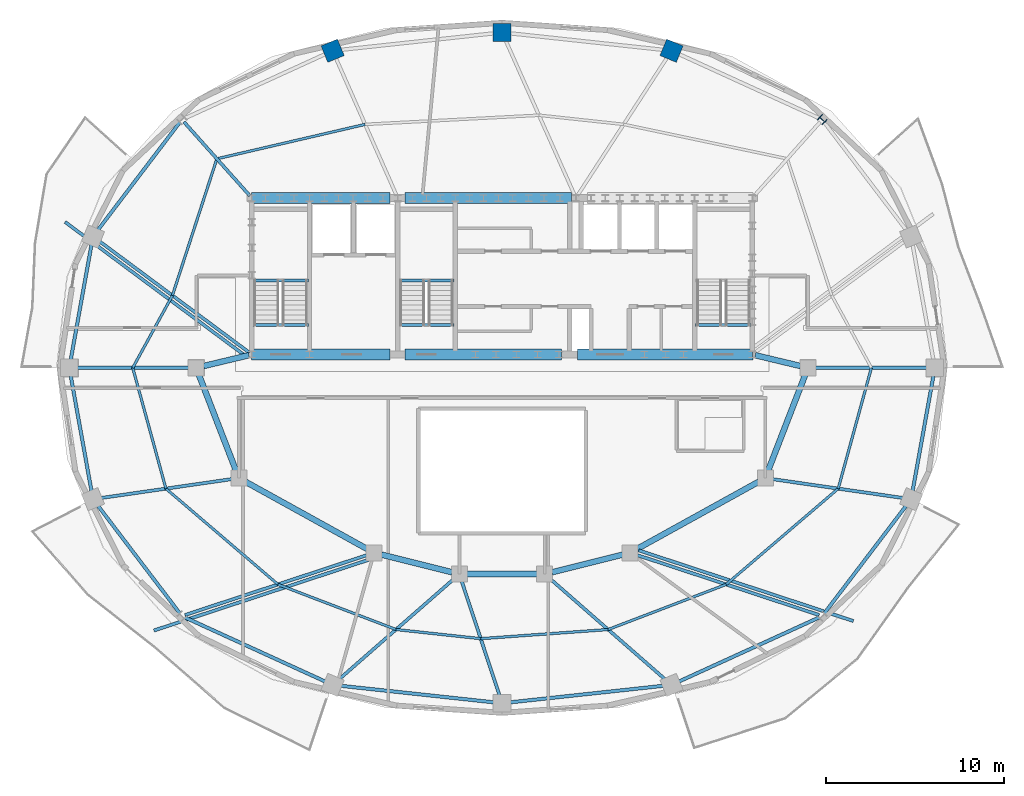
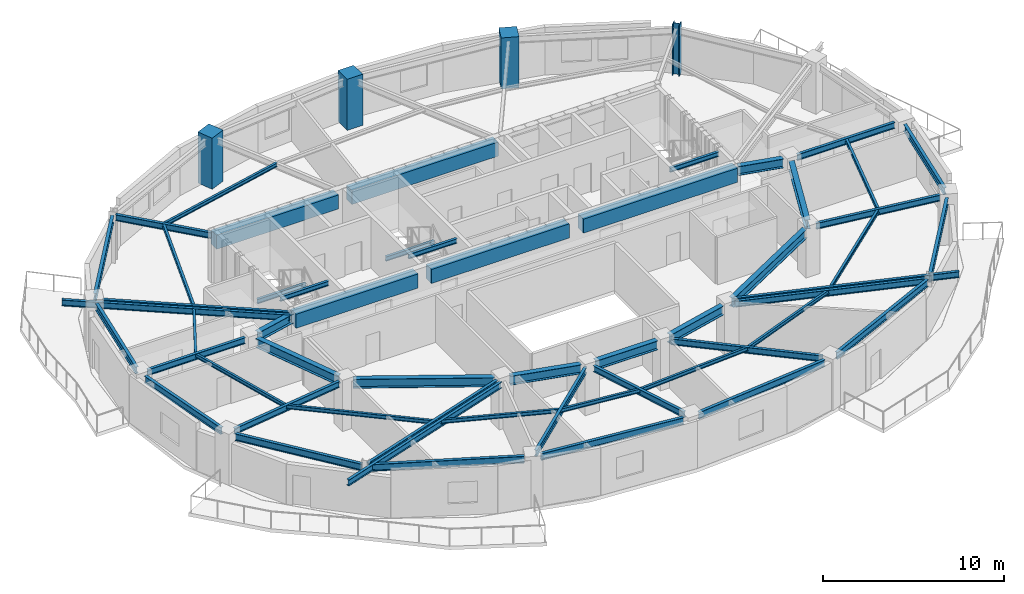
# One storey, part 2 of 10: 54 beams, 4 columns.
"""IFC4 building model written with IfcOpenShell, lengths in metres."""

from ifc_helpers import new_model, si_unit, direction, frame, origin, origin_2d, place, context, subcontext, project, spatial, rectangle, i_section, extrude, material, material_profile, profile_set, type_object, element, save


model = new_model("IFC4")

# Units and contexts
model_context = context("Model", 3, precision=1e-05, world=origin(), true_north=direction((0.0, 1.0)))
body_context = subcontext(model_context, "Body", "Model", "MODEL_VIEW")
ifc_project = project(units=[si_unit("LENGTHUNIT", "METRE"), si_unit("AREAUNIT", "SQUARE_METRE"), si_unit("VOLUMEUNIT", "CUBIC_METRE"), si_unit("PLANEANGLEUNIT", "RADIAN"), si_unit("MASSUNIT", "GRAM", prefix="KILO")], contexts=[model_context])

# Site, building, storey
site_placement = place(None, origin())
site = spatial("IfcSite", under=ifc_project, at=site_placement, CompositionType="ELEMENT")
building_placement = place(site_placement, origin())
building = spatial("IfcBuilding", under=site, at=building_placement, Name="Haldorwick Loom Tower", CompositionType="ELEMENT")
storey_placement = place(building_placement, frame((0.0, 0.0, 266.10009765625)))
storey = spatial("IfcBuildingStorey", under=building, at=storey_placement, Name="L72", CompositionType="ELEMENT", Elevation=266.10009765625)

# Columns
ifc_material_1 = material(Name="Concrete C60 (60 MPa)", Category="concrete")
ifc_material_profile_1 = material_profile(ifc_material_1, rectangle(XDim=1.0, YDim=1.0, at=origin_2d()), Name="RC1000X1000", Category="concrete")
ifc_profile_set_1 = profile_set([ifc_material_profile_1], Name="Concrete C60 (60 MPa)")
column_type_1 = type_object("IfcColumnType", Name="STR-COL-RC1000", PredefinedType="COLUMN", material=ifc_profile_set_1)
for number, where, z_axis, x_axis, name in (
    (1, (45.52880859375, 43.830810546875, 0.0), (0.0, 0.0, 1.0), (0.382683432365, 0.923879532511, 0.0), "L72 Perimeter Pier Column P04"),
    (2, (36.0, 44.860107421875, 0.0), (0.0, 0.0, 1.0), (0.0, 1.0, 0.0), "L72 Perimeter Pier Column P05"),
    (3, (26.47119140625, 43.830810546875, 0.0), (0.0, 0.0, 1.0), (-0.382683432365, 0.923879532511, 0.0), "L72 Perimeter Pier Column P06"),
):
    element("IfcColumn", number, at=place(storey_placement, frame(where, z_axis=z_axis, x_axis=x_axis)), inside=storey, type_object=column_type_1, Name=name, PredefinedType="COLUMN", context=body_context, shape_type="SweptSolid", body=[
        extrude(rectangle(XDim=1.0, YDim=1.0, at=origin_2d()), origin(), (0.0, 0.0, 1.0), 3.449951171875),
    ])
ifc_material_2 = material(Name="Steel CSA G40.21 350W", Category="steel")
ifc_material_profile_2 = material_profile(ifc_material_2, i_section(OverallWidth=0.406005859375, OverallDepth=0.416015625, WebThickness=0.024169921875, FlangeThickness=0.03857421875, at=origin_2d()), Name="W360X382", Category="steel")
ifc_profile_set_2 = profile_set([ifc_material_profile_2], Name="Steel CSA G40.21 350W")
column_type_2 = type_object("IfcColumnType", Name="STR-COL-W360X382", PredefinedType="COLUMN", material=ifc_profile_set_2)
column_placement = place(storey_placement, frame((54.005126953125, 39.958251953125, 0.0), z_axis=(0.0, 0.0, 1.0), x_axis=(0.707106781187, 0.707106781187, 0.0)))
element("IfcColumn", 4, at=column_placement, inside=storey, type_object=column_type_2, Name="L72 Perimeter Pier Column P03", PredefinedType="COLUMN", context=body_context, shape_type="SweptSolid", body=[
    extrude(i_section(OverallWidth=0.406005859375, OverallDepth=0.416015625, WebThickness=0.024169921875, FlangeThickness=0.03857421875, at=origin_2d()), origin(), (0.0, 0.0, 1.0), 3.449951171875),
])

# Beams
ifc_material_profile_3 = material_profile(ifc_material_2, i_section(OverallWidth=0.179931640625, OverallDepth=0.4130859375, WebThickness=0.009765625, FlangeThickness=0.01611328125, at=origin_2d()), Name="W410X74", Category="steel")
ifc_profile_set_3 = profile_set([ifc_material_profile_3], Name="Steel CSA G40.21 350W")
beam_type_1 = type_object("IfcBeamType", Name="STR-BM-BAL410", PredefinedType="BEAM", material=ifc_profile_set_3)
beam_1_placement = place(storey_placement, frame((43.69140625, 15.73291015625, 3.00341796875), z_axis=(0.949822733783, -0.312788705661, 0.0), x_axis=(0.312788705661, 0.949822733783, 0.0)))
element("IfcBeam", 5, at=beam_1_placement, inside=storey, type_object=beam_type_1, Name="L72 Continuous Back-Spanned Balcony Beam 1", PredefinedType="BEAM", context=body_context, shape_type="SweptSolid", body=[
    extrude(i_section(OverallWidth=0.179931640625, OverallDepth=0.4130859375, WebThickness=0.009765625, FlangeThickness=0.01611328125, at=origin_2d()), origin(), (0.0, 0.0, 1.0), 12.70068359375),
])
beam_2_placement = place(storey_placement, frame((28.48388671875, 15.201171875, 3.00341796875), z_axis=(-0.949818903584, -0.312800336309, 0.0), x_axis=(0.312800336309, -0.949818903584, 0.0)))
element("IfcBeam", 6, at=beam_2_placement, inside=storey, type_object=beam_type_1, Name="L72 Continuous Back-Spanned Balcony Beam 2", PredefinedType="BEAM", context=body_context, shape_type="SweptSolid", body=[
    extrude(i_section(OverallWidth=0.179931640625, OverallDepth=0.4130859375, WebThickness=0.009765625, FlangeThickness=0.01611328125, at=origin_2d()), origin(), (0.0, 0.0, 1.0), 12.701171875),
])
beam_3_placement = place(storey_placement, frame((21.62548828125, 26.62744140625, 3.00341796875), z_axis=(-0.802806117906, 0.596240167258, 0.0), x_axis=(-0.596240167258, -0.802806117906, 0.0)))
element("IfcBeam", 7, at=beam_3_placement, inside=storey, type_object=beam_type_1, Name="L72 Continuous Back-Spanned Balcony Beam 3", PredefinedType="BEAM", context=body_context, shape_type="SweptSolid", body=[
    extrude(i_section(OverallWidth=0.179931640625, OverallDepth=0.4130859375, WebThickness=0.009765625, FlangeThickness=0.01611328125, at=origin_2d()), origin(), (0.0, 0.0, 1.0), 12.707763671875),
])
ifc_material_3 = material(Name="Concrete C50 (50 MPa)", Category="concrete")
ifc_material_profile_4 = material_profile(ifc_material_3, rectangle(XDim=0.60009765625, YDim=0.949951171875, at=origin_2d()), Name="RC600X950", Category="concrete")
ifc_profile_set_4 = profile_set([ifc_material_profile_4], Name="Concrete C50 (50 MPa)")
beam_type_2 = type_object("IfcBeamType", Name="STR-BM-CB950", PredefinedType="LINTEL", material=ifc_profile_set_4)
beam_4_placement = place(storey_placement, frame((21.89990234375, 35.550048828125, 2.73486328125), z_axis=(1.0, 0.0, 0.0), x_axis=(0.0, 1.0, 0.0)))
element("IfcBeam", 8, at=beam_4_placement, inside=storey, type_object=beam_type_2, Name="L72 Core Coupling Beam CB-N1", PredefinedType="LINTEL", context=body_context, shape_type="SweptSolid", body=[
    extrude(rectangle(XDim=0.60009765625, YDim=0.949951171875, at=origin_2d()), origin(), (0.0, 0.0, 1.0), 7.800048828125),
])
beam_5_placement = place(storey_placement, frame((30.550048828125, 35.550048828125, 2.73486328125), z_axis=(1.0, 0.0, 0.0), x_axis=(0.0, 1.0, 0.0)))
element("IfcBeam", 9, at=beam_5_placement, inside=storey, type_object=beam_type_2, Name="L72 Core Coupling Beam CB-N2", PredefinedType="LINTEL", context=body_context, shape_type="SweptSolid", body=[
    extrude(rectangle(XDim=0.60009765625, YDim=0.949951171875, at=origin_2d()), origin(), (0.0, 0.0, 1.0), 9.349853515625),
])
beam_6_placement = place(storey_placement, frame((21.89990234375, 26.75, 2.73486328125), z_axis=(1.0, 0.0, 0.0), x_axis=(0.0, 1.0, 0.0)))
element("IfcBeam", 10, at=beam_6_placement, inside=storey, type_object=beam_type_2, Name="L72 Core Coupling Beam CB-S1", PredefinedType="LINTEL", context=body_context, shape_type="SweptSolid", body=[
    extrude(rectangle(XDim=0.60009765625, YDim=0.949951171875, at=origin_2d()), origin(), (0.0, 0.0, 1.0), 7.800048828125),
])
beam_7_placement = place(storey_placement, frame((30.550048828125, 26.75, 2.73486328125), z_axis=(1.0, 0.0, 0.0), x_axis=(0.0, 1.0, 0.0)))
element("IfcBeam", 11, at=beam_7_placement, inside=storey, type_object=beam_type_2, Name="L72 Core Coupling Beam CB-S2", PredefinedType="LINTEL", context=body_context, shape_type="SweptSolid", body=[
    extrude(rectangle(XDim=0.60009765625, YDim=0.949951171875, at=origin_2d()), origin(), (0.0, 0.0, 1.0), 8.800048828125),
])
beam_8_placement = place(storey_placement, frame((40.25, 26.75, 2.73486328125), z_axis=(1.0, 0.0, 0.0), x_axis=(0.0, 1.0, 0.0)))
element("IfcBeam", 12, at=beam_8_placement, inside=storey, type_object=beam_type_2, Name="L72 Core Coupling Beam CB-S3", PredefinedType="LINTEL", context=body_context, shape_type="SweptSolid", body=[
    extrude(rectangle(XDim=0.60009765625, YDim=0.949951171875, at=origin_2d()), origin(), (0.0, 0.0, 1.0), 9.85009765625),
])
ifc_material_profile_5 = material_profile(ifc_material_2, i_section(OverallWidth=0.14599609375, OverallDepth=0.258056640625, WebThickness=0.006103515625, FlangeThickness=0.009033203125, at=origin_2d()), Name="W250X33", Category="steel")
ifc_profile_set_5 = profile_set([ifc_material_profile_5], Name="Steel CSA G40.21 350W")
beam_type_3 = type_object("IfcBeamType", Name="STR-BM-J250", PredefinedType="JOIST", material=ifc_profile_set_5)
beam_9_placement = place(storey_placement, frame((28.300537109375, 39.6904296875, 3.080810546875), z_axis=(-0.974080706337, -0.226200746112, 0.0), x_axis=(0.226200746112, -0.974080706337, 0.0)))
element("IfcBeam", 13, at=beam_9_placement, inside=storey, type_object=beam_type_3, Name="L72 Mid-Bay Secondary Joist 6", PredefinedType="JOIST", context=body_context, shape_type="SweptSolid", body=[
    extrude(i_section(OverallWidth=0.14599609375, OverallDepth=0.258056640625, WebThickness=0.006103515625, FlangeThickness=0.009033203125, at=origin_2d()), origin(), (0.0, 0.0, 1.0), 8.56005859375),
])
beam_10_placement = place(storey_placement, frame((19.96240234375, 37.754150390625, 3.080810546875), z_axis=(-0.309277990337, -0.95097167397, 0.0), x_axis=(0.95097167397, -0.309277990337, 0.0)))
element("IfcBeam", 14, at=beam_10_placement, inside=storey, type_object=beam_type_3, Name="L72 Mid-Bay Secondary Joist 7", PredefinedType="JOIST", context=body_context, shape_type="SweptSolid", body=[
    extrude(i_section(OverallWidth=0.14599609375, OverallDepth=0.258056640625, WebThickness=0.006103515625, FlangeThickness=0.009033203125, at=origin_2d()), origin(), (0.0, 0.0, 1.0), 8.08251953125),
])
beam_11_placement = place(storey_placement, frame((17.462646484375, 30.06787109375, 3.080810546875), z_axis=(-0.480863931781, -0.876795232145, 0.0), x_axis=(0.876795232145, -0.480863931781, 0.0)))
element("IfcBeam", 15, at=beam_11_placement, inside=storey, type_object=beam_type_3, Name="L72 Mid-Bay Secondary Joist 8", PredefinedType="JOIST", context=body_context, shape_type="SweptSolid", body=[
    extrude(i_section(OverallWidth=0.14599609375, OverallDepth=0.258056640625, WebThickness=0.006103515625, FlangeThickness=0.009033203125, at=origin_2d()), origin(), (0.0, 0.0, 1.0), 4.639404296875),
])
beam_12_placement = place(storey_placement, frame((15.231689453125, 26.0, 3.080810546875), z_axis=(0.264879381431, -0.964281552915, 0.0), x_axis=(0.964281552915, 0.264879381431, 0.0)))
element("IfcBeam", 16, at=beam_12_placement, inside=storey, type_object=beam_type_3, Name="L72 Mid-Bay Secondary Joist 9", PredefinedType="JOIST", context=body_context, shape_type="SweptSolid", body=[
    extrude(i_section(OverallWidth=0.14599609375, OverallDepth=0.258056640625, WebThickness=0.006103515625, FlangeThickness=0.009033203125, at=origin_2d()), origin(), (0.0, 0.0, 1.0), 7.044677734375),
])
beam_13_placement = place(storey_placement, frame((17.09765625, 19.20703125, 3.080810546875), z_axis=(0.760066902561, -0.649844830426, 0.0), x_axis=(0.649844830426, 0.760066902561, 0.0)))
element("IfcBeam", 17, at=beam_13_placement, inside=storey, type_object=beam_type_3, Name="L72 Mid-Bay Secondary Joist 10", PredefinedType="JOIST", context=body_context, shape_type="SweptSolid", body=[
    extrude(i_section(OverallWidth=0.14599609375, OverallDepth=0.258056640625, WebThickness=0.006103515625, FlangeThickness=0.009033203125, at=origin_2d()), origin(), (0.0, 0.0, 1.0), 8.28857421875),
])
beam_14_placement = place(storey_placement, frame((23.3974609375, 13.82080078125, 3.080810546875), z_axis=(0.934134056558, -0.356922350628, 0.0), x_axis=(0.356922350628, 0.934134056558, 0.0)))
element("IfcBeam", 18, at=beam_14_placement, inside=storey, type_object=beam_type_3, Name="L72 Mid-Bay Secondary Joist 11", PredefinedType="JOIST", context=body_context, shape_type="SweptSolid", body=[
    extrude(i_section(OverallWidth=0.14599609375, OverallDepth=0.258056640625, WebThickness=0.006103515625, FlangeThickness=0.009033203125, at=origin_2d()), origin(), (0.0, 0.0, 1.0), 7.106201171875),
])
beam_15_placement = place(storey_placement, frame((30.03564453125, 11.284423828125, 3.080810546875), z_axis=(0.994221899005, -0.107344378232, 0.0), x_axis=(0.107344378232, 0.994221899005, 0.0)))
element("IfcBeam", 19, at=beam_15_placement, inside=storey, type_object=beam_type_3, Name="L72 Mid-Bay Secondary Joist 12", PredefinedType="JOIST", context=body_context, shape_type="SweptSolid", body=[
    extrude(i_section(OverallWidth=0.14599609375, OverallDepth=0.258056640625, WebThickness=0.006103515625, FlangeThickness=0.009033203125, at=origin_2d()), origin(), (0.0, 0.0, 1.0), 4.7919921875),
])
beam_16_placement = place(storey_placement, frame((34.800048828125, 10.77001953125, 3.080810546875), z_axis=(0.997432233153, 0.071616620046, 0.0), x_axis=(-0.071616620046, 0.997432233153, 0.0)))
element("IfcBeam", 20, at=beam_16_placement, inside=storey, type_object=beam_type_3, Name="L72 Mid-Bay Secondary Joist 13", PredefinedType="JOIST", context=body_context, shape_type="SweptSolid", body=[
    extrude(i_section(OverallWidth=0.14599609375, OverallDepth=0.258056640625, WebThickness=0.006103515625, FlangeThickness=0.009033203125, at=origin_2d()), origin(), (0.0, 0.0, 1.0), 7.182861328125),
])
beam_17_placement = place(storey_placement, frame((41.96435546875, 11.284423828125, 3.080810546875), z_axis=(0.934134056558, 0.356922350628, 0.0), x_axis=(-0.356922350628, 0.934134056558, 0.0)))
element("IfcBeam", 21, at=beam_17_placement, inside=storey, type_object=beam_type_3, Name="L72 Mid-Bay Secondary Joist 14", PredefinedType="JOIST", context=body_context, shape_type="SweptSolid", body=[
    extrude(i_section(OverallWidth=0.14599609375, OverallDepth=0.258056640625, WebThickness=0.006103515625, FlangeThickness=0.009033203125, at=origin_2d()), origin(), (0.0, 0.0, 1.0), 7.106201171875),
])
beam_18_placement = place(storey_placement, frame((48.6025390625, 13.82080078125, 3.080810546875), z_axis=(0.760066902561, 0.649844830426, 0.0), x_axis=(-0.649844830426, 0.760066902561, 0.0)))
element("IfcBeam", 22, at=beam_18_placement, inside=storey, type_object=beam_type_3, Name="L72 Mid-Bay Secondary Joist 15", PredefinedType="JOIST", context=body_context, shape_type="SweptSolid", body=[
    extrude(i_section(OverallWidth=0.14599609375, OverallDepth=0.258056640625, WebThickness=0.006103515625, FlangeThickness=0.009033203125, at=origin_2d()), origin(), (0.0, 0.0, 1.0), 8.28857421875),
])
beam_19_placement = place(storey_placement, frame((54.90234375, 19.20703125, 3.080810546875), z_axis=(0.264879381431, 0.964281552915, 0.0), x_axis=(-0.964281552915, 0.264879381431, 0.0)))
element("IfcBeam", 23, at=beam_19_placement, inside=storey, type_object=beam_type_3, Name="L72 Mid-Bay Secondary Joist 16", PredefinedType="JOIST", context=body_context, shape_type="SweptSolid", body=[
    extrude(i_section(OverallWidth=0.14599609375, OverallDepth=0.258056640625, WebThickness=0.006103515625, FlangeThickness=0.009033203125, at=origin_2d()), origin(), (0.0, 0.0, 1.0), 7.044677734375),
])
ifc_material_profile_6 = material_profile(ifc_material_2, i_section(OverallWidth=0.179931640625, OverallDepth=0.4130859375, WebThickness=0.009765625, FlangeThickness=0.01611328125, at=origin_2d()), Name="W410X74", Category="steel")
ifc_profile_set_6 = profile_set([ifc_material_profile_6], Name="Steel CSA G40.21 350W")
beam_type_4 = type_object("IfcBeamType", Name="STR-BM-J410", PredefinedType="JOIST", material=ifc_profile_set_6)
beam_20_placement = place(storey_placement, frame((53.625, 26.0, 3.00341796875), z_axis=(1.0, 0.0, 0.0), x_axis=(0.0, 1.0, 0.0)))
element("IfcBeam", 24, at=beam_20_placement, inside=storey, type_object=beam_type_4, Name="L72 Radial Floor Girder 1", PredefinedType="JOIST", context=body_context, shape_type="SweptSolid", body=[
    extrude(i_section(OverallWidth=0.179931640625, OverallDepth=0.4130859375, WebThickness=0.009765625, FlangeThickness=0.01611328125, at=origin_2d()), origin(), (0.0, 0.0, 1.0), 6.23681640625),
])
beam_21_placement = place(storey_placement, frame((21.81591796875, 35.677978515625, 3.00341796875), z_axis=(-0.665970391236, 0.745978175282, 0.0), x_axis=(-0.745978175282, -0.665970391236, 0.0)))
element("IfcBeam", 25, at=beam_21_placement, inside=storey, type_object=beam_type_4, Name="L72 Radial Floor Girder 7", PredefinedType="JOIST", context=body_context, shape_type="SweptSolid", body=[
    extrude(i_section(OverallWidth=0.179931640625, OverallDepth=0.4130859375, WebThickness=0.009765625, FlangeThickness=0.01611328125, at=origin_2d()), origin(), (0.0, 0.0, 1.0), 5.559814453125),
])
beam_22_placement = place(storey_placement, frame((21.792236328125, 26.852294921875, 3.00341796875), z_axis=(-0.802802773234, 0.596244670658, 0.0), x_axis=(-0.596244670658, -0.802802773234, 0.0)))
element("IfcBeam", 26, at=beam_22_placement, inside=storey, type_object=beam_type_4, Name="L72 Radial Floor Girder 8", PredefinedType="JOIST", context=body_context, shape_type="SweptSolid", body=[
    extrude(i_section(OverallWidth=0.179931640625, OverallDepth=0.4130859375, WebThickness=0.009765625, FlangeThickness=0.01611328125, at=origin_2d()), origin(), (0.0, 0.0, 1.0), 10.482666015625),
])
beam_23_placement = place(storey_placement, frame((18.375, 26.0, 3.00341796875), z_axis=(-1.0, 0.0, 0.0), x_axis=(0.0, -1.0, 0.0)))
element("IfcBeam", 27, at=beam_23_placement, inside=storey, type_object=beam_type_4, Name="L72 Radial Floor Girder 9", PredefinedType="JOIST", context=body_context, shape_type="SweptSolid", body=[
    extrude(i_section(OverallWidth=0.179931640625, OverallDepth=0.4130859375, WebThickness=0.009765625, FlangeThickness=0.01611328125, at=origin_2d()), origin(), (0.0, 0.0, 1.0), 6.23681640625),
])
beam_24_placement = place(storey_placement, frame((20.779296875, 19.7392578125, 3.00341796875), z_axis=(-0.989714899996, -0.143053894481, 0.0), x_axis=(0.143053894481, -0.989714899996, 0.0)))
element("IfcBeam", 28, at=beam_24_placement, inside=storey, type_object=beam_type_4, Name="L72 Radial Floor Girder 10", PredefinedType="JOIST", context=body_context, shape_type="SweptSolid", body=[
    extrude(i_section(OverallWidth=0.179931640625, OverallDepth=0.4130859375, WebThickness=0.009765625, FlangeThickness=0.01611328125, at=origin_2d()), origin(), (0.0, 0.0, 1.0), 7.3896484375),
])
beam_25_placement = place(storey_placement, frame((28.396240234375, 15.467041015625, 3.00341796875), z_axis=(-0.949823774798, -0.312785544468, 0.0), x_axis=(0.312785544468, -0.949823774798, 0.0)))
element("IfcBeam", 29, at=beam_25_placement, inside=storey, type_object=beam_type_4, Name="L72 Radial Floor Girder 11", PredefinedType="JOIST", context=body_context, shape_type="SweptSolid", body=[
    extrude(i_section(OverallWidth=0.179931640625, OverallDepth=0.4130859375, WebThickness=0.009765625, FlangeThickness=0.01611328125, at=origin_2d()), origin(), (0.0, 0.0, 1.0), 10.77294921875),
])
beam_26_placement = place(storey_placement, frame((33.280029296875, 14.120361328125, 3.00341796875), z_axis=(-0.752929611517, -0.658101056146, 0.0), x_axis=(0.658101056146, -0.752929611517, 0.0)))
element("IfcBeam", 30, at=beam_26_placement, inside=storey, type_object=beam_type_4, Name="L72 Radial Floor Girder 12", PredefinedType="JOIST", context=body_context, shape_type="SweptSolid", body=[
    extrude(i_section(OverallWidth=0.179931640625, OverallDepth=0.4130859375, WebThickness=0.009765625, FlangeThickness=0.01611328125, at=origin_2d()), origin(), (0.0, 0.0, 1.0), 8.568115234375),
])
beam_27_placement = place(storey_placement, frame((33.7333984375, 13.99658203125, 3.00341796875), z_axis=(0.313860075071, -0.949469248199, 0.0), x_axis=(0.949469248199, 0.313860075071, 0.0)))
element("IfcBeam", 31, at=beam_27_placement, inside=storey, type_object=beam_type_4, Name="L72 Radial Floor Girder 13", PredefinedType="JOIST", context=body_context, shape_type="SweptSolid", body=[
    extrude(i_section(OverallWidth=0.179931640625, OverallDepth=0.4130859375, WebThickness=0.009765625, FlangeThickness=0.01611328125, at=origin_2d()), origin(), (0.0, 0.0, 1.0), 6.746337890625),
])
beam_28_placement = place(storey_placement, frame((38.719970703125, 14.120361328125, 3.00341796875), z_axis=(0.752929611517, -0.658101056146, 0.0), x_axis=(0.658101056146, 0.752929611517, 0.0)))
element("IfcBeam", 32, at=beam_28_placement, inside=storey, type_object=beam_type_4, Name="L72 Radial Floor Girder 14", PredefinedType="JOIST", context=body_context, shape_type="SweptSolid", body=[
    extrude(i_section(OverallWidth=0.179931640625, OverallDepth=0.4130859375, WebThickness=0.009765625, FlangeThickness=0.01611328125, at=origin_2d()), origin(), (0.0, 0.0, 1.0), 8.568115234375),
])
beam_29_placement = place(storey_placement, frame((43.603759765625, 15.467041015625, 3.00341796875), z_axis=(0.949823774798, -0.312785544468, 0.0), x_axis=(0.312785544468, 0.949823774798, 0.0)))
element("IfcBeam", 33, at=beam_29_placement, inside=storey, type_object=beam_type_4, Name="L72 Radial Floor Girder 15", PredefinedType="JOIST", context=body_context, shape_type="SweptSolid", body=[
    extrude(i_section(OverallWidth=0.179931640625, OverallDepth=0.4130859375, WebThickness=0.009765625, FlangeThickness=0.01611328125, at=origin_2d()), origin(), (0.0, 0.0, 1.0), 10.77294921875),
])
beam_30_placement = place(storey_placement, frame((51.220703125, 19.7392578125, 3.00341796875), z_axis=(0.989714899996, -0.143053894481, 0.0), x_axis=(0.143053894481, 0.989714899996, 0.0)))
element("IfcBeam", 34, at=beam_30_placement, inside=storey, type_object=beam_type_4, Name="L72 Radial Floor Girder 16", PredefinedType="JOIST", context=body_context, shape_type="SweptSolid", body=[
    extrude(i_section(OverallWidth=0.179931640625, OverallDepth=0.4130859375, WebThickness=0.009765625, FlangeThickness=0.01611328125, at=origin_2d()), origin(), (0.0, 0.0, 1.0), 7.3896484375),
])
ifc_material_profile_7 = material_profile(ifc_material_2, i_section(OverallWidth=0.193115234375, OverallDepth=0.466064453125, WebThickness=0.011474609375, FlangeThickness=0.01904296875, at=origin_2d()), Name="W460X97", Category="steel")
ifc_profile_set_7 = profile_set([ifc_material_profile_7], Name="Steel CSA G40.21 350W")
beam_type_5 = type_object("IfcBeamType", Name="STR-BM-SP460", PredefinedType="SPANDREL", material=ifc_profile_set_7)
beam_31_placement = place(storey_placement, frame((17.886962890625, 39.816650390625, 2.976806640625), z_axis=(-0.605410439126, -0.795913437629, 0.0), x_axis=(0.795913437629, -0.605410439126, 0.0)))
element("IfcBeam", 35, at=beam_31_placement, inside=storey, type_object=beam_type_5, Name="L72 Perimeter Spandrel 7", PredefinedType="SPANDREL", context=body_context, shape_type="SweptSolid", body=[
    extrude(i_section(OverallWidth=0.193115234375, OverallDepth=0.466064453125, WebThickness=0.011474609375, FlangeThickness=0.01904296875, at=origin_2d()), origin(), (0.0, 0.0, 1.0), 7.604736328125),
])
for number, where, z_axis, x_axis, name in (
    (36, (12.9111328125, 32.918212890625, 2.976806640625), (-0.177515201984, -0.984118058499, 0.0), (0.984118058499, -0.177515201984, 0.0), "L72 Perimeter Spandrel 8"),
    (37, (11.74755859375, 25.532470703125, 2.976806640625), (0.177515201984, -0.984118058499, 0.0), (0.984118058499, 0.177515201984, 0.0), "L72 Perimeter Spandrel 9"),
):
    element("IfcBeam", number, at=place(storey_placement, frame(where, z_axis=z_axis, x_axis=x_axis)), inside=storey, type_object=beam_type_5, Name=name, PredefinedType="SPANDREL", context=body_context, shape_type="SweptSolid", body=[
        extrude(i_section(OverallWidth=0.193115234375, OverallDepth=0.466064453125, WebThickness=0.011474609375, FlangeThickness=0.01904296875, at=origin_2d()), origin(), (0.0, 0.0, 1.0), 6.5546875),
    ])
beam_32_placement = place(storey_placement, frame((13.282958984375, 18.236083984375, 2.976806640625), z_axis=(0.605410439126, -0.795913437629, 0.0), x_axis=(0.795913437629, 0.605410439126, 0.0)))
element("IfcBeam", 38, at=beam_32_placement, inside=storey, type_object=beam_type_5, Name="L72 Perimeter Spandrel 10", PredefinedType="SPANDREL", context=body_context, shape_type="SweptSolid", body=[
    extrude(i_section(OverallWidth=0.193115234375, OverallDepth=0.466064453125, WebThickness=0.011474609375, FlangeThickness=0.01904296875, at=origin_2d()), origin(), (0.0, 0.0, 1.0), 7.604736328125),
])
beam_33_placement = place(storey_placement, frame((18.15673828125, 11.9677734375, 2.976806640625), z_axis=(0.909567887863, -0.415555360172, 0.0), x_axis=(0.415555360172, 0.909567887863, 0.0)))
element("IfcBeam", 39, at=beam_33_placement, inside=storey, type_object=beam_type_5, Name="L72 Perimeter Spandrel 11", PredefinedType="SPANDREL", context=body_context, shape_type="SweptSolid", body=[
    extrude(i_section(OverallWidth=0.193115234375, OverallDepth=0.466064453125, WebThickness=0.011474609375, FlangeThickness=0.01904296875, at=origin_2d()), origin(), (0.0, 0.0, 1.0), 8.666259765625),
])
for number, where, z_axis, x_axis, name in (
    (40, (26.943603515625, 8.1181640625, 2.976806640625), (0.994216353781, -0.107395725588, 0.0), (0.107395725588, 0.994216353781, 0.0), "L72 Perimeter Spandrel 12"),
    (41, (36.472412109375, 7.19091796875, 2.976806640625), (0.994216353781, 0.107395725588, 0.0), (-0.107395725588, 0.994216353781, 0.0), "L72 Perimeter Spandrel 13"),
):
    element("IfcBeam", number, at=place(storey_placement, frame(where, z_axis=z_axis, x_axis=x_axis)), inside=storey, type_object=beam_type_5, Name=name, PredefinedType="SPANDREL", context=body_context, shape_type="SweptSolid", body=[
        extrude(i_section(OverallWidth=0.193115234375, OverallDepth=0.466064453125, WebThickness=0.011474609375, FlangeThickness=0.01904296875, at=origin_2d()), origin(), (0.0, 0.0, 1.0), 8.634033203125),
    ])
beam_34_placement = place(storey_placement, frame((45.960693359375, 8.366455078125, 2.976806640625), z_axis=(0.909567887863, 0.415555360172, 0.0), x_axis=(-0.415555360172, 0.909567887863, 0.0)))
element("IfcBeam", 42, at=beam_34_placement, inside=storey, type_object=beam_type_5, Name="L72 Perimeter Spandrel 14", PredefinedType="SPANDREL", context=body_context, shape_type="SweptSolid", body=[
    extrude(i_section(OverallWidth=0.193115234375, OverallDepth=0.466064453125, WebThickness=0.011474609375, FlangeThickness=0.01904296875, at=origin_2d()), origin(), (0.0, 0.0, 1.0), 8.666259765625),
])
beam_35_placement = place(storey_placement, frame((54.113037109375, 12.183349609375, 2.976806640625), z_axis=(0.605410439126, 0.795913437629, 0.0), x_axis=(-0.795913437629, 0.605410439126, 0.0)))
element("IfcBeam", 43, at=beam_35_placement, inside=storey, type_object=beam_type_5, Name="L72 Perimeter Spandrel 15", PredefinedType="SPANDREL", context=body_context, shape_type="SweptSolid", body=[
    extrude(i_section(OverallWidth=0.193115234375, OverallDepth=0.466064453125, WebThickness=0.011474609375, FlangeThickness=0.01904296875, at=origin_2d()), origin(), (0.0, 0.0, 1.0), 7.604736328125),
])
beam_36_placement = place(storey_placement, frame((59.0888671875, 19.081787109375, 2.976806640625), z_axis=(0.177515201984, 0.984118058499, 0.0), x_axis=(-0.984118058499, 0.177515201984, 0.0)))
element("IfcBeam", 44, at=beam_36_placement, inside=storey, type_object=beam_type_5, Name="L72 Perimeter Spandrel 16", PredefinedType="SPANDREL", context=body_context, shape_type="SweptSolid", body=[
    extrude(i_section(OverallWidth=0.193115234375, OverallDepth=0.466064453125, WebThickness=0.011474609375, FlangeThickness=0.01904296875, at=origin_2d()), origin(), (0.0, 0.0, 1.0), 6.5546875),
])
ifc_material_profile_8 = material_profile(ifc_material_2, i_section(OverallWidth=0.166015625, OverallDepth=0.31298828125, WebThickness=0.006591796875, FlangeThickness=0.01123046875, at=origin_2d()), Name="W310X45", Category="steel")
ifc_profile_set_8 = profile_set([ifc_material_profile_8], Name="Steel CSA G40.21 350W")
beam_type_6 = type_object("IfcBeamType", Name="STR-BM-STRM", PredefinedType="BEAM", material=ifc_profile_set_8)
for number, where, z_axis, x_axis, name in (
    (45, (21.989990234375, 28.39990234375, 3.053466796875), (1.0, 0.0, 0.0), (0.0, 1.0, 0.0), "L72 Stair ST-01 Landing Edge Trimmer"),
    (46, (21.989990234375, 30.919921875, 1.368408203125), (1.0, 0.0, 0.0), (0.0, 1.0, 0.0), "L72 Stair ST-01 Half-Landing Trimmer 1"),
    (47, (46.889892578125, 28.39990234375, 3.053466796875), (1.0, 0.0, 0.0), (0.0, 1.0, 0.0), "L72 Stair ST-02 Landing Edge Trimmer"),
    (48, (30.18994140625, 28.39990234375, 3.053466796875), (1.0, 0.0, 0.0), (0.0, 1.0, 0.0), "L72 Stair ST-03 Landing Edge Trimmer"),
    (49, (30.18994140625, 30.919921875, 1.368408203125), (1.0, 0.0, 0.0), (0.0, 1.0, 0.0), "L72 Stair ST-03 Half-Landing Trimmer 1"),
):
    element("IfcBeam", number, at=place(storey_placement, frame(where, z_axis=z_axis, x_axis=x_axis)), inside=storey, type_object=beam_type_6, Name=name, PredefinedType="BEAM", context=body_context, shape_type="SweptSolid", body=[
        extrude(i_section(OverallWidth=0.166015625, OverallDepth=0.31298828125, WebThickness=0.006591796875, FlangeThickness=0.01123046875, at=origin_2d()), origin(), (0.0, 0.0, 1.0), 3.1201171875),
    ])
ifc_material_profile_9 = material_profile(ifc_material_2, i_section(OverallWidth=0.324951171875, OverallDepth=0.615966796875, WebThickness=0.013916015625, FlangeThickness=0.021484375, at=origin_2d()), Name="W610X174", Category="steel")
ifc_profile_set_9 = profile_set([ifc_material_profile_9], Name="Steel CSA G40.21 350W")
beam_type_7 = type_object("IfcBeamType", Name="STR-BM-W610A", PredefinedType="BEAM", material=ifc_profile_set_9)
beam_37_placement = place(storey_placement, frame((50.23681640625, 26.7099609375, 2.90185546875), z_axis=(0.972483573168, -0.232971457302, 0.0), x_axis=(0.232971457302, 0.972483573168, 0.0)))
element("IfcBeam", 50, at=beam_37_placement, inside=storey, type_object=beam_type_7, Name="L72 Inner Ring Girder 1", PredefinedType="BEAM", context=body_context, shape_type="SweptSolid", body=[
    extrude(i_section(OverallWidth=0.324951171875, OverallDepth=0.615966796875, WebThickness=0.013916015625, FlangeThickness=0.021484375, at=origin_2d()), origin(), (0.0, 0.0, 1.0), 2.6220703125),
])
beam_38_placement = place(storey_placement, frame((53.046630859375, 25.603759765625, 2.90185546875), z_axis=(-0.361001189766, -0.932565354808, 0.0), x_axis=(0.932565354808, -0.361001189766, 0.0)))
element("IfcBeam", 51, at=beam_38_placement, inside=storey, type_object=beam_type_7, Name="L72 Inner Ring Girder 2", PredefinedType="BEAM", context=body_context, shape_type="SweptSolid", body=[
    extrude(i_section(OverallWidth=0.324951171875, OverallDepth=0.615966796875, WebThickness=0.013916015625, FlangeThickness=0.021484375, at=origin_2d()), origin(), (0.0, 0.0, 1.0), 5.798583984375),
])
beam_39_placement = place(storey_placement, frame((50.427978515625, 19.594482421875, 2.90185546875), z_axis=(-0.875241535439, -0.48368611169, 0.0), x_axis=(0.48368611169, -0.875241535439, 0.0)))
element("IfcBeam", 52, at=beam_39_placement, inside=storey, type_object=beam_type_7, Name="L72 Inner Ring Girder 3", PredefinedType="BEAM", context=body_context, shape_type="SweptSolid", body=[
    extrude(i_section(OverallWidth=0.324951171875, OverallDepth=0.615966796875, WebThickness=0.013916015625, FlangeThickness=0.021484375, at=origin_2d()), origin(), (0.0, 0.0, 1.0), 7.833251953125),
])
beam_40_placement = place(storey_placement, frame((42.78759765625, 15.496826171875, 2.90185546875), z_axis=(-0.97015301348, -0.242493567823, 0.0), x_axis=(0.242493567823, -0.97015301348, 0.0)))
element("IfcBeam", 53, at=beam_40_placement, inside=storey, type_object=beam_type_7, Name="L72 Inner Ring Girder 4", PredefinedType="BEAM", context=body_context, shape_type="SweptSolid", body=[
    extrude(i_section(OverallWidth=0.324951171875, OverallDepth=0.615966796875, WebThickness=0.013916015625, FlangeThickness=0.021484375, at=origin_2d()), origin(), (0.0, 0.0, 1.0), 4.09765625),
])
beam_41_placement = place(storey_placement, frame((37.97509765625, 14.39990234375, 2.90185546875), z_axis=(-1.0, 0.0, 0.0), x_axis=(0.0, -1.0, 0.0)))
element("IfcBeam", 54, at=beam_41_placement, inside=storey, type_object=beam_type_7, Name="L72 Inner Ring Girder 5", PredefinedType="BEAM", context=body_context, shape_type="SweptSolid", body=[
    extrude(i_section(OverallWidth=0.324951171875, OverallDepth=0.615966796875, WebThickness=0.013916015625, FlangeThickness=0.021484375, at=origin_2d()), origin(), (0.0, 0.0, 1.0), 3.9501953125),
])
beam_42_placement = place(storey_placement, frame((33.187744140625, 14.503173828125, 2.90185546875), z_axis=(-0.97015301348, 0.242493567823, 0.0), x_axis=(-0.242493567823, -0.97015301348, 0.0)))
element("IfcBeam", 55, at=beam_42_placement, inside=storey, type_object=beam_type_7, Name="L72 Inner Ring Girder 6", PredefinedType="BEAM", context=body_context, shape_type="SweptSolid", body=[
    extrude(i_section(OverallWidth=0.324951171875, OverallDepth=0.615966796875, WebThickness=0.013916015625, FlangeThickness=0.021484375, at=origin_2d()), origin(), (0.0, 0.0, 1.0), 4.09765625),
])
beam_43_placement = place(storey_placement, frame((28.427978515625, 15.8056640625, 2.90185546875), z_axis=(-0.875241535439, 0.48368611169, 0.0), x_axis=(-0.48368611169, -0.875241535439, 0.0)))
element("IfcBeam", 56, at=beam_43_placement, inside=storey, type_object=beam_type_7, Name="L72 Inner Ring Girder 7", PredefinedType="BEAM", context=body_context, shape_type="SweptSolid", body=[
    extrude(i_section(OverallWidth=0.324951171875, OverallDepth=0.615966796875, WebThickness=0.013916015625, FlangeThickness=0.021484375, at=origin_2d()), origin(), (0.0, 0.0, 1.0), 7.833251953125),
])
beam_44_placement = place(storey_placement, frame((21.046630859375, 20.1962890625, 2.90185546875), z_axis=(-0.361001189766, 0.932565354808, 0.0), x_axis=(-0.932565354808, -0.361001189766, 0.0)))
element("IfcBeam", 57, at=beam_44_placement, inside=storey, type_object=beam_type_7, Name="L72 Inner Ring Girder 8", PredefinedType="BEAM", context=body_context, shape_type="SweptSolid", body=[
    extrude(i_section(OverallWidth=0.324951171875, OverallDepth=0.615966796875, WebThickness=0.013916015625, FlangeThickness=0.021484375, at=origin_2d()), origin(), (0.0, 0.0, 1.0), 5.798583984375),
])
beam_45_placement = place(storey_placement, frame((19.21337890625, 26.09912109375, 2.90185546875), z_axis=(0.972483573168, 0.232971457302, 0.0), x_axis=(-0.232971457302, 0.972483573168, 0.0)))
element("IfcBeam", 58, at=beam_45_placement, inside=storey, type_object=beam_type_7, Name="L72 Inner Ring Girder 9", PredefinedType="BEAM", context=body_context, shape_type="SweptSolid", body=[
    extrude(i_section(OverallWidth=0.324951171875, OverallDepth=0.615966796875, WebThickness=0.013916015625, FlangeThickness=0.021484375, at=origin_2d()), origin(), (0.0, 0.0, 1.0), 2.6220703125),
])

save(model, "model.ifc")
